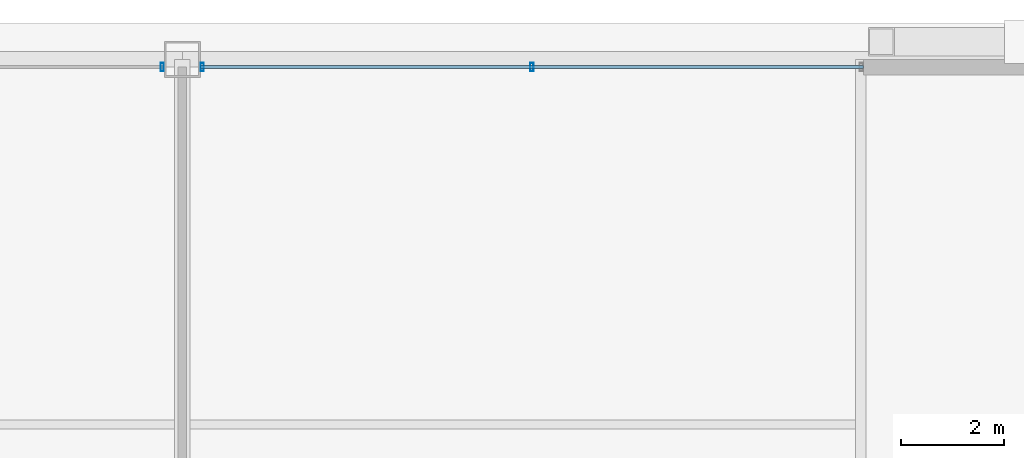
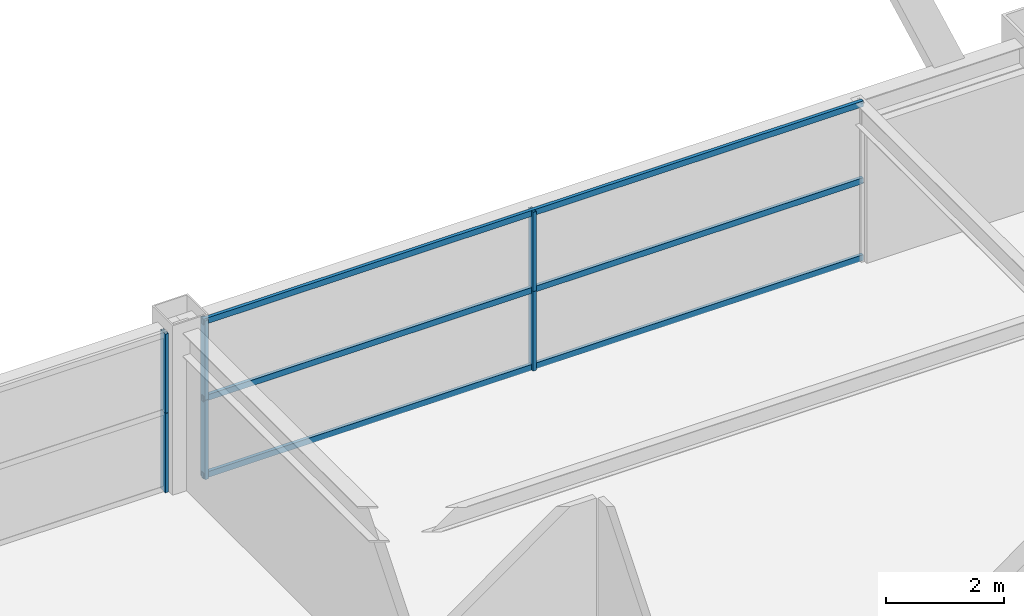
# One storey, part 27 of 35: 9 members, 2 elements without a shape of their own.
"""IFC4 building model written with IfcOpenShell, lengths in metres."""

from ifc_helpers import new_model, si_unit, direction, frame, origin, origin_2d, place, context, subcontext, project, spatial, hollow_rectangle, extrude, source, transform, mapped, material, layer, layer_set, material_profile, profile_set, type_object, element, aggregate, save


model = new_model("IFC4")

# Units and contexts
model_context = context("Model", 3, precision=1e-05, world=origin(), true_north=direction((0.0, 1.0)))
body_context = subcontext(model_context, "Body", "Model", "MODEL_VIEW")
ifc_project = project(units=[si_unit("LENGTHUNIT", "METRE"), si_unit("AREAUNIT", "SQUARE_METRE"), si_unit("VOLUMEUNIT", "CUBIC_METRE"), si_unit("PLANEANGLEUNIT", "RADIAN"), si_unit("MASSUNIT", "GRAM", prefix="KILO"), si_unit("THERMODYNAMICTEMPERATUREUNIT", "KELVIN"), si_unit("POWERUNIT", "WATT")], contexts=[model_context])

# Site, building, storey
site_placement = place(None, origin())
site = spatial("IfcSite", under=ifc_project, at=site_placement, CompositionType="ELEMENT")
building_placement = place(site_placement, origin())
building = spatial("IfcBuilding", under=site, at=building_placement, Name="Yuzanri Waterfront Tower", CompositionType="ELEMENT")
storey_placement = place(building_placement, frame((0.0, 0.0, 271.60009765625)))
storey = spatial("IfcBuildingStorey", under=building, at=storey_placement, Name="L72", CompositionType="ELEMENT", Elevation=271.60009765625)

# Curtain wall, members
ifc_material_1 = material(Name="Anodized Architectural Bronze", Category="metal")
ifc_layer = layer(ifc_material_1, 0.159912109375)
ifc_layer_set = layer_set([ifc_layer], Name="Anodized Architectural Bronze")
curtain_wall_type = type_object("IfcCurtainWallType", Name="Anodized Bronze Mid-Rise Residential Acoustic Unitized Curtain Wall 7200", PredefinedType="NOTDEFINED", material=ifc_layer_set)
curtain_wall_1_placement = place(storey_placement, origin())
curtain_wall_1 = element("IfcCurtainWall", 1, at=curtain_wall_1_placement, inside=storey, type_object=curtain_wall_type, Name="L72 Curtain Wall CW-L72-NL", PredefinedType="NOTDEFINED")
ifc_material_2 = material(Name="Anodized Architectural Bronze", Category="metal")
ifc_material_profile_1 = material_profile(ifc_material_2, hollow_rectangle(XDim=0.06494140625, YDim=0.159912109375, WallThickness=0.00341796875, at=origin_2d()), Name="CWM 65x160")
ifc_profile_set_1 = profile_set([ifc_material_profile_1], Name="Anodized Architectural Bronze")
member_type_1 = type_object("IfcMemberType", Name="Anodized Bronze Upper-Zone Curtain-Wall Mullion 65x160", PredefinedType="MULLION", material=ifc_profile_set_1)
shared_shape_1 = source(origin(), body_context, "Body", "SweptSolid", [
    extrude(hollow_rectangle(XDim=0.06494140625, YDim=0.159912109375, WallThickness=0.00341796875, at=origin_2d()), origin(), (0.0, 0.0, 1.0), 1.637939453125),
])
member_1_placement = place(storey_placement, frame((36.610107421875, 46.25, 0.0), z_axis=(0.0, 0.0, 1.0), x_axis=(1.0, 0.0, 0.0)))
member_1 = element("IfcMember", 2, at=member_1_placement, type_object=member_type_1, Name="CW-L72-NL Lower Mullion 02", PredefinedType="MULLION", context=body_context, shape_type="MappedRepresentation", body=[
    mapped(shared_shape_1, transform((0.0, 0.0, 0.0), scale=1.0)),
])
member_2_placement = place(storey_placement, frame((36.610107421875, 46.25, 1.641845703125), z_axis=(0.0, 0.0, 1.0), x_axis=(1.0, 0.0, 0.0)))
member_2 = element("IfcMember", 3, at=member_2_placement, type_object=member_type_1, Name="CW-L72-NL Upper Mullion 02", PredefinedType="MULLION", context=body_context, shape_type="MappedRepresentation", body=[
    mapped(shared_shape_1, transform((0.0, 0.0, 0.0), scale=1.0)),
])
aggregate(curtain_wall_1, [member_1, member_2])

curtain_wall_2_placement = place(storey_placement, origin())
curtain_wall_2 = element("IfcCurtainWall", 4, at=curtain_wall_2_placement, inside=storey, type_object=curtain_wall_type, Name="L72 Curtain Wall CW-L72-NR", PredefinedType="NOTDEFINED")
member_3_placement = place(storey_placement, frame((37.389892578125, 46.25, 0.0), z_axis=(0.0, 0.0, 1.0), x_axis=(1.0, 0.0, 0.0)))
member_3 = element("IfcMember", 5, at=member_3_placement, type_object=member_type_1, Name="CW-L72-NR Lower Mullion 00", PredefinedType="MULLION", context=body_context, shape_type="MappedRepresentation", body=[
    mapped(shared_shape_1, transform((0.0, 0.0, 0.0), scale=1.0)),
])
member_4_placement = place(storey_placement, frame((37.389892578125, 46.25, 1.641845703125), z_axis=(0.0, 0.0, 1.0), x_axis=(1.0, 0.0, 0.0)))
member_4 = element("IfcMember", 6, at=member_4_placement, type_object=member_type_1, Name="CW-L72-NR Upper Mullion 00", PredefinedType="MULLION", context=body_context, shape_type="MappedRepresentation", body=[
    mapped(shared_shape_1, transform((0.0, 0.0, 0.0), scale=1.0)),
])
member_5_placement = place(storey_placement, frame((43.800048828125, 46.25, 0.0), z_axis=(0.0, 0.0, 1.0), x_axis=(1.0, 0.0, 0.0)))
member_5 = element("IfcMember", 7, at=member_5_placement, type_object=member_type_1, Name="CW-L72-NR Lower Mullion 01", PredefinedType="MULLION", context=body_context, shape_type="MappedRepresentation", body=[
    mapped(shared_shape_1, transform((0.0, 0.0, 0.0), scale=1.0)),
])
member_6_placement = place(storey_placement, frame((43.800048828125, 46.25, 1.641845703125), z_axis=(0.0, 0.0, 1.0), x_axis=(1.0, 0.0, 0.0)))
member_6 = element("IfcMember", 8, at=member_6_placement, type_object=member_type_1, Name="CW-L72-NR Upper Mullion 01", PredefinedType="MULLION", context=body_context, shape_type="MappedRepresentation", body=[
    mapped(shared_shape_1, transform((0.0, 0.0, 0.0), scale=1.0)),
])
ifc_material_3 = material(Name="Anodized Architectural Bronze", Category="metal")
ifc_material_profile_2 = material_profile(ifc_material_3, hollow_rectangle(XDim=0.06494140625, YDim=0.1201171875, WallThickness=0.00341796875, at=origin_2d()), Name="CWT 65x120")
ifc_profile_set_2 = profile_set([ifc_material_profile_2], Name="Anodized Architectural Bronze")
member_type_2 = type_object("IfcMemberType", Name="Anodized Bronze Secondary Curtain-Wall Transom 65x120", PredefinedType="USERDEFINED", material=ifc_profile_set_2)
shared_shape_2 = source(origin(), body_context, "Body", "SweptSolid", [
    extrude(hollow_rectangle(XDim=0.06494140625, YDim=0.1201171875, WallThickness=0.00341796875, at=origin_2d()), origin(), (0.0, 0.0, 1.0), 12.89990234375),
])
member_7_placement = place(storey_placement, frame((37.35009765625, 46.25, 0.0498046875), z_axis=(1.0, 0.0, 0.0), x_axis=(0.0, 1.0, 0.0)))
member_7 = element("IfcMember", 9, at=member_7_placement, type_object=member_type_2, Name="CW-L72-NR Transom 1", ObjectType="TRANSOM", PredefinedType="USERDEFINED", context=body_context, shape_type="MappedRepresentation", body=[
    mapped(shared_shape_2, transform((0.0, 0.0, 0.0), scale=1.0)),
])
member_8_placement = place(storey_placement, frame((37.35009765625, 46.25, 1.639892578125), z_axis=(1.0, 0.0, 0.0), x_axis=(0.0, 1.0, 0.0)))
member_8 = element("IfcMember", 10, at=member_8_placement, type_object=member_type_2, Name="CW-L72-NR Transom 2", ObjectType="TRANSOM", PredefinedType="USERDEFINED", context=body_context, shape_type="MappedRepresentation", body=[
    mapped(shared_shape_2, transform((0.0, 0.0, 0.0), scale=1.0)),
])
member_9_placement = place(storey_placement, frame((37.35009765625, 46.25, 3.22998046875), z_axis=(1.0, 0.0, 0.0), x_axis=(0.0, 1.0, 0.0)))
member_9 = element("IfcMember", 11, at=member_9_placement, type_object=member_type_2, Name="CW-L72-NR Transom 3", ObjectType="TRANSOM", PredefinedType="USERDEFINED", context=body_context, shape_type="MappedRepresentation", body=[
    mapped(shared_shape_2, transform((0.0, 0.0, 0.0), scale=1.0)),
])
aggregate(curtain_wall_2, [member_3, member_4, member_5, member_6, member_7, member_8, member_9])

save(model, "model.ifc")
